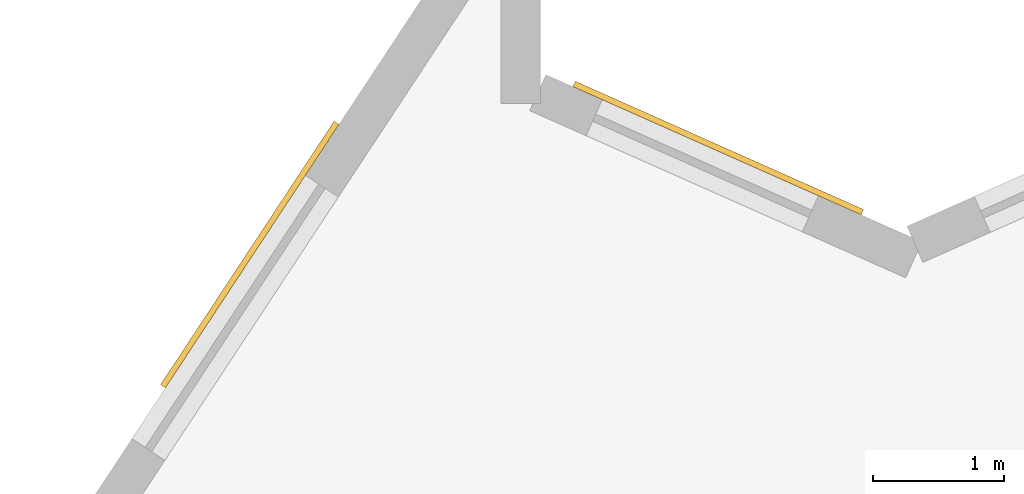
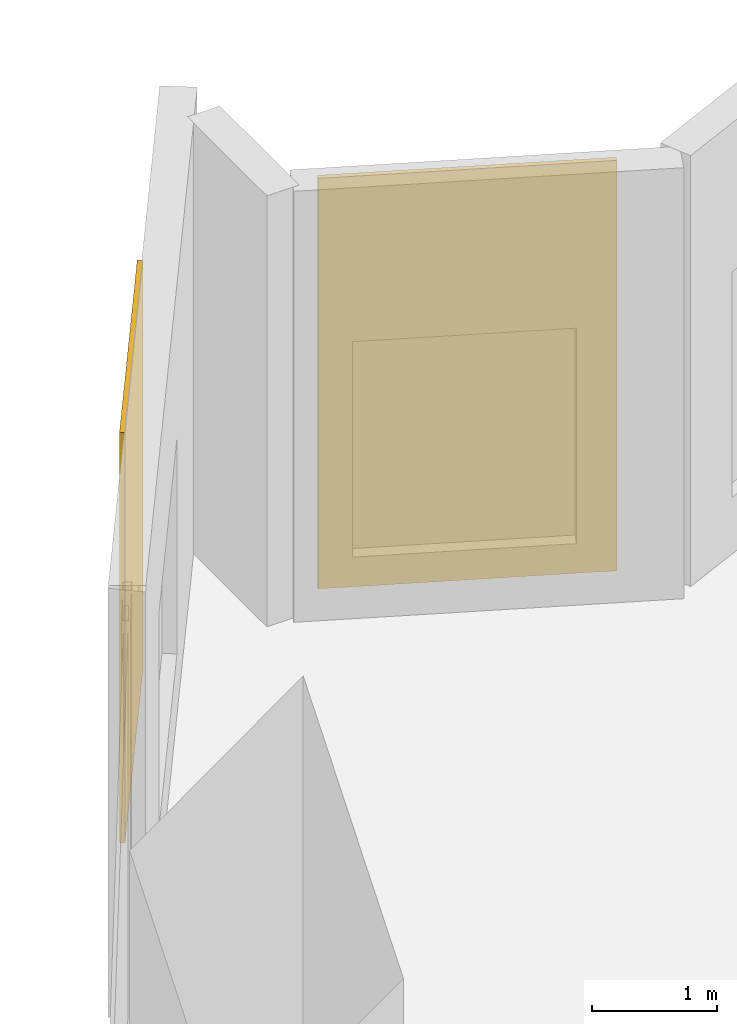
# One storey, part 12 of 12: 2 coverings.
"""IFC4 building model written with IfcOpenShell, lengths in metres."""

import ifcopenshell
import ifcopenshell.guid

model = None  # the IFC model being written
_history = None  # IfcOwnerHistory: only IFC2X3 demands one
_inside = {}  # id of a spatial element -> (the spatial element, [elements in it])
_under = {}  # id of a project, library or spatial element -> (it, [spatial elements below it])
_declared = {}  # id of a project -> (the project, [libraries it declares])
_typed = {}  # id of a type object -> (the type object, [elements of that type])
_made_of = {}  # id of a material, layer set ... -> (it, [elements and type objects made of it])


def new_model(schema):
    """Start an empty IFC model of exactly this schema.

    Asked for "IFC4X3", IfcOpenShell would pick the latest addendum, in which some entities
    have other attributes; the version numbers below select the first issue.
    IFC2X3 requires an IfcOwnerHistory on every rooted entity: one is made here for all.
    """
    global model, _history
    if schema == "IFC4X3":
        model = ifcopenshell.file(schema_version=(4, 3, 0, 0))
    else:
        model = ifcopenshell.file(schema=schema)
    _inside.clear()
    _under.clear()
    _declared.clear()
    _typed.clear()
    _made_of.clear()
    _history = None
    if model.schema == "IFC2X3":
        org = make("IfcOrganization", Name="unknown")
        user = make(
            "IfcPersonAndOrganization",
            ThePerson=make("IfcPerson", FamilyName="unknown"),
            TheOrganization=org,
        )
        app = make(
            "IfcApplication",
            ApplicationDeveloper=org,
            Version="unknown",
            ApplicationFullName="unknown",
            ApplicationIdentifier="unknown",
        )
        _history = make(
            "IfcOwnerHistory",
            OwningUser=user,
            OwningApplication=app,
            ChangeAction="ADDED",
            CreationDate=0,
        )
    return model


def make(cls, **values):
    """One entity of the class cls with the attributes given. An attribute that is None is left unset."""
    return model.create_entity(
        cls, **{name: value for name, value in values.items() if value is not None}
    )


def rooted(cls, **values):
    """An entity with a GlobalId (a new one), such as an element, a storey or a relation."""
    return make(cls, GlobalId=ifcopenshell.guid.new(), OwnerHistory=_history, **values)


def si_unit(unit_type, name, prefix=None):
    """IfcSIUnit, for example si_unit("LENGTHUNIT", "METRE", prefix="MILLI")."""
    return make("IfcSIUnit", UnitType=unit_type, Prefix=prefix, Name=name)


def assignment(units):
    """IfcUnitAssignment: the units of a project."""
    return None if units is None else make("IfcUnitAssignment", Units=units)


def point(xyz):
    """IfcCartesianPoint."""
    return None if xyz is None else make("IfcCartesianPoint", Coordinates=xyz)


def direction(xyz):
    """IfcDirection."""
    return None if xyz is None else make("IfcDirection", DirectionRatios=xyz)


def frame(location, z_axis=None, x_axis=None):
    """IfcAxis2Placement3D, a coordinate frame: its origin and axes. An axis left out is left unset."""
    return make(
        "IfcAxis2Placement3D",
        Location=point(location),
        Axis=direction(z_axis),
        RefDirection=direction(x_axis),
    )


def frame_2d(location, x_axis=None):
    """IfcAxis2Placement2D, a coordinate frame in the plane: its origin and x axis."""
    return make(
        "IfcAxis2Placement2D", Location=point(location), RefDirection=direction(x_axis)
    )


def origin():
    """The frame at (0, 0, 0) with its axes left unset."""
    return frame((0.0, 0.0, 0.0))


def origin_2d():
    """The frame at (0, 0) in the plane with its x axis left unset."""
    return frame_2d((0.0, 0.0))


def place(relative_to, where):
    """IfcLocalPlacement: puts the frame where relative to a parent placement (None: the world)."""
    return make(
        "IfcLocalPlacement", PlacementRelTo=relative_to, RelativePlacement=where
    )


def context(
    kind, dimensions, precision=None, world=None, true_north=None, identifier=None
):
    """IfcGeometricRepresentationContext, for example the 3D "Model" context."""
    return make(
        "IfcGeometricRepresentationContext",
        ContextIdentifier=identifier,
        ContextType=kind,
        CoordinateSpaceDimension=dimensions,
        Precision=precision,
        WorldCoordinateSystem=world,
        TrueNorth=true_north,
    )


def subcontext(parent, identifier, kind, view, scale=None):
    """IfcGeometricRepresentationSubContext, for example "Body" below "Model"."""
    return make(
        "IfcGeometricRepresentationSubContext",
        ContextIdentifier=identifier,
        ContextType=kind,
        ParentContext=parent,
        TargetScale=scale,
        TargetView=view,
    )


def project(units=None, contexts=None):
    """IfcProject with its units and contexts."""
    return rooted(
        "IfcProject",
        Name="project",
        RepresentationContexts=contexts,
        UnitsInContext=assignment(units),
    )


def spatial(cls, under=None, at=None, **own):
    """A site, building, storey or space (cls), placed at a placement, below another one or the project."""
    s = rooted(cls, ObjectPlacement=at, **own)
    if under is not None:
        _under.setdefault(under.id(), (under, []))[1].append(s)
    return s


def profile(cls, at=None, kind="AREA", **sizes):
    """A parametric profile (cls). Its sizes go by their IFC names, for example OverallWidth=200.0."""
    return make(cls, ProfileType=kind, Position=at, **sizes)


def rectangle(**sizes):
    """IfcRectangleProfileDef."""
    return profile("IfcRectangleProfileDef", **sizes)


def extrude(swept, where, along, depth):
    """IfcExtrudedAreaSolid: the profile swept, set in the frame where, extruded along a direction by depth."""
    return make(
        "IfcExtrudedAreaSolid",
        SweptArea=swept,
        Position=where,
        ExtrudedDirection=direction(along),
        Depth=depth,
    )


def shape(context_of_items, identifier, shape_type, items):
    """IfcShapeRepresentation: the items that make up one representation, for example the "Body"."""
    return make(
        "IfcShapeRepresentation",
        ContextOfItems=context_of_items,
        RepresentationIdentifier=identifier,
        RepresentationType=shape_type,
        Items=items,
    )


def material(Name=None, Category=None):
    """IfcMaterial."""
    return make("IfcMaterial", Name=Name, Category=Category)


def layer(
    of_material, thickness, ventilated=None, Name=None, Category=None, Priority=None
):
    """IfcMaterialLayer: one layer of a wall or slab, of a material (None: an air gap)."""
    return make(
        "IfcMaterialLayer",
        Material=of_material,
        LayerThickness=thickness,
        IsVentilated=ventilated,
        Name=Name,
        Category=Category,
        Priority=Priority,
    )


def layer_set(layers, Name=None):
    """IfcMaterialLayerSet."""
    return make("IfcMaterialLayerSet", MaterialLayers=layers, LayerSetName=Name)


def made_of(thing, what):
    """Note that an element or type object is made of a material, layer set ...; save() writes the relation."""
    if what is not None:
        _made_of.setdefault(what.id(), (what, []))[1].append(thing)
    return thing


def type_object(cls, material=None, **own):
    """A type object (cls), such as IfcWallType, which elements share."""
    return made_of(rooted(cls, **own), material)


def element(
    cls,
    number,
    at=None,
    inside=None,
    cuts=None,
    type_object=None,
    material=None,
    context=None,
    identifier="Body",
    shape_type=None,
    held_by="IfcProductDefinitionShape",
    body=None,
    shapes=None,
    **own,
):
    """One element of the class cls, such as IfcWall. Its Tag is "e" and its number.

    at: its placement. inside: the storey or other place that contains it. cuts: it is an
    opening in that element (IfcRelVoidsElement). A single representation is given by context,
    identifier, shape_type and body (its items); several are given by shapes. held_by: the class
    of the entity that holds the representations. save() writes the other relations.
    """
    e = rooted(cls, Tag="e%d" % number, ObjectPlacement=at, **own)
    if body is not None:
        shapes = [shape(context, identifier, shape_type, body)]
    if shapes is not None:
        e.Representation = make(held_by, Representations=shapes)
    if inside is not None:
        _inside.setdefault(inside.id(), (inside, []))[1].append(e)
    if cuts is not None:
        rooted(
            "IfcRelVoidsElement", RelatingBuildingElement=cuts, RelatedOpeningElement=e
        )
    if type_object is not None:
        _typed.setdefault(type_object.id(), (type_object, []))[1].append(e)
    return made_of(e, material)


def aggregate(whole, parts):
    """IfcRelAggregates: a whole, such as a stair, and the parts it consists of."""
    return rooted("IfcRelAggregates", RelatingObject=whole, RelatedObjects=parts)


def save(model, path):
    """Write the relations noted so far, then the file.

    IfcRelAggregates (storeys below a building ...), IfcRelContainedInSpatialStructure (elements
    in a storey), IfcRelDefinesByType, IfcRelAssociatesMaterial and IfcRelDeclares: one each for
    every whole, place, type object, material and project.
    """
    for whole, parts in _under.values():
        aggregate(whole, parts)
    for where, things in _inside.values():
        rooted(
            "IfcRelContainedInSpatialStructure",
            RelatedElements=things,
            RelatingStructure=where,
        )
    for kind, things in _typed.values():
        rooted("IfcRelDefinesByType", RelatedObjects=things, RelatingType=kind)
    for what, things in _made_of.values():
        rooted("IfcRelAssociatesMaterial", RelatedObjects=things, RelatingMaterial=what)
    for by, libraries in _declared.values():
        rooted("IfcRelDeclares", RelatingContext=by, RelatedDefinitions=libraries)
    model.write(path)


model = new_model("IFC4")

# Units and contexts
model_context = context("Model", 3, precision=1e-05, world=origin(), true_north=direction((0.0, 1.0)))
body_context = subcontext(model_context, "Body", "Model", "MODEL_VIEW")
ifc_project = project(units=[si_unit("LENGTHUNIT", "METRE"), si_unit("AREAUNIT", "SQUARE_METRE"), si_unit("VOLUMEUNIT", "CUBIC_METRE"), si_unit("PLANEANGLEUNIT", "RADIAN"), si_unit("MASSUNIT", "GRAM", prefix="KILO")], contexts=[model_context])

# Site, building, storey
site_placement = place(None, origin())
site = spatial("IfcSite", under=ifc_project, at=site_placement, CompositionType="ELEMENT")
building_placement = place(site_placement, origin())
building = spatial("IfcBuilding", under=site, at=building_placement, Name="Almagre Mirador Tower", CompositionType="ELEMENT")
storey_placement = place(building_placement, frame((0.0, 0.0, 17.39990234375)))
storey = spatial("IfcBuildingStorey", under=building, at=storey_placement, Name="L03", CompositionType="ELEMENT", Elevation=17.39990234375)

# Coverings
ifc_material = material(Name="Almagre terracotta architectural cladding", Category="masonry")
ifc_layer = layer(ifc_material, 0.044921875)
ifc_layer_set = layer_set([ifc_layer], Name="Almagre terracotta architectural cladding")
covering_type = type_object("IfcCoveringType", Name="COV-CLAD-ALMAGRE", PredefinedType="CLADDING", material=ifc_layer_set)
for number, where, z_axis, x_axis, name in (
    (1, (31.075439453125, 46.23974609375, 0.10009765625), (0.0, 0.0, 1.0), (0.550203863787, 0.835030363684, 0.0), "L03 almagre terracotta pier cladding"),
    (2, (34.6396484375, 47.049560546875, 0.10009765625), (0.0, 0.0, 1.0), (0.913751208531, -0.406274204089, 0.0), "L03 almagre terracotta pier cladding"),
):
    element("IfcCovering", number, at=place(storey_placement, frame(where, z_axis=z_axis, x_axis=x_axis)), inside=storey, type_object=covering_type, Name=name, PredefinedType="CLADDING", context=body_context, shape_type="SweptSolid", body=[
        extrude(rectangle(XDim=2.39990234375, YDim=0.044921875, at=origin_2d()), origin(), (0.0, 0.0, 1.0), 4.0),
    ])

save(model, "model.ifc")
